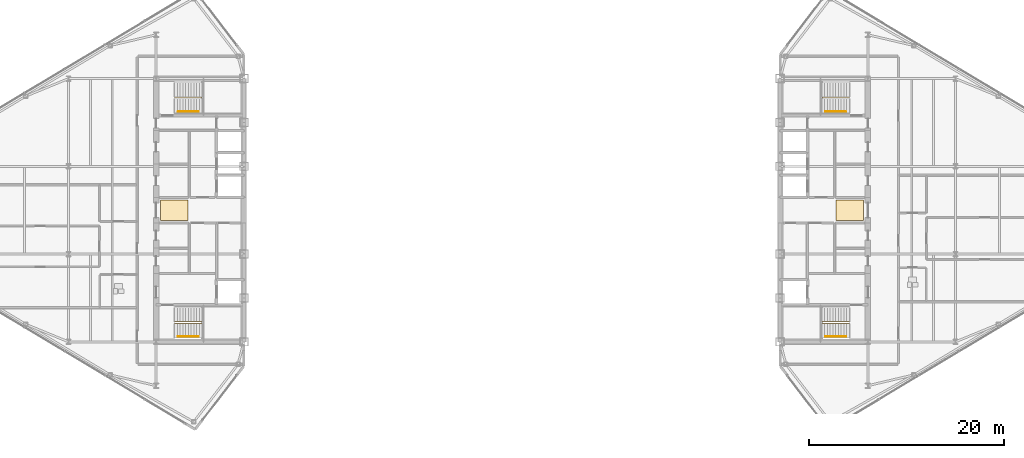
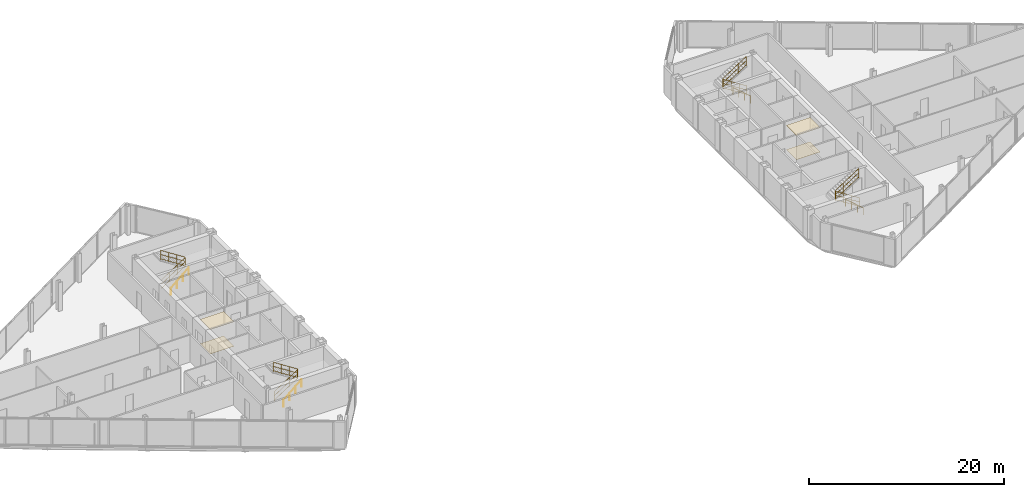
# One storey, part 24 of 25: 8 railings, 4 coverings.
"""IFC4 building model written with IfcOpenShell, lengths in metres."""

from ifc_helpers import new_model, si_unit, direction, frame, origin, origin_2d, place, context, subcontext, project, spatial, polyline, circle, outline, extrude, material, layer, layer_set, type_object, element, save


model = new_model("IFC4")

# Units and contexts
model_context = context("Model", 3, precision=1e-05, world=origin(), true_north=direction((0.0, 1.0)))
body_context = subcontext(model_context, "Body", "Model", "MODEL_VIEW")
ifc_project = project(units=[si_unit("LENGTHUNIT", "METRE"), si_unit("AREAUNIT", "SQUARE_METRE"), si_unit("VOLUMEUNIT", "CUBIC_METRE"), si_unit("PLANEANGLEUNIT", "RADIAN"), si_unit("MASSUNIT", "GRAM", prefix="KILO")], contexts=[model_context])

# Site, building, storey
site_placement = place(None, origin())
site = spatial("IfcSite", under=ifc_project, at=site_placement, CompositionType="ELEMENT")
building_placement = place(site_placement, origin())
building = spatial("IfcBuilding", under=site, at=building_placement, Name="Seokmaru Belvedere", CompositionType="ELEMENT")
storey_placement = place(building_placement, frame((0.0, 0.0, 206.699951171875)))
storey = spatial("IfcBuildingStorey", under=building, at=storey_placement, Name="L55", CompositionType="ELEMENT", Elevation=206.699951171875)

# Coverings
ifc_material_1 = material(Name="Engineered White Oak Timber", Category="wood")
ifc_layer_1 = layer(ifc_material_1, 0.02197265625)
ifc_layer_set_1 = layer_set([ifc_layer_1], Name="Engineered White Oak Timber")
covering_type_1 = type_object("IfcCoveringType", Name="Engineered Oak Residence Floor Finish 22", PredefinedType="FLOORING", material=ifc_layer_set_1)
covering_1_placement = place(storey_placement, origin())
element("IfcCovering", 1, at=covering_1_placement, inside=storey, type_object=covering_type_1, Name="L55 W Foyer Floor Finish", PredefinedType="FLOORING", context=body_context, shape_type="SweptSolid", body=[
    extrude(outline(polyline([(-36.050048828125, -1.050048828125), (-33.25, -1.050048828125), (-33.25, 1.050048828125), (-36.050048828125, 1.050048828125), (-36.050048828125, -1.050048828125)])), origin(), (0.0, 0.0, 1.0), 0.02197265625),
])
covering_2_placement = place(storey_placement, origin())
element("IfcCovering", 2, at=covering_2_placement, inside=storey, type_object=covering_type_1, Name="L55 E Foyer Floor Finish", PredefinedType="FLOORING", context=body_context, shape_type="SweptSolid", body=[
    extrude(outline(polyline([(33.25, -1.050048828125), (36.050048828125, -1.050048828125), (36.050048828125, 1.050048828125), (33.25, 1.050048828125), (33.25, -1.050048828125)])), origin(), (0.0, 0.0, 1.0), 0.02197265625),
])
ifc_material_2 = material(Name="Fire-Rated Gypsum Shaftwall")
ifc_layer_2 = layer(ifc_material_2, 0.02490234375)
ifc_layer_set_2 = layer_set([ifc_layer_2], Name="Fire-Rated Gypsum Shaftwall")
covering_type_2 = type_object("IfcCoveringType", Name="Perforated Acoustic Gypsum Suspended Ceiling 25", PredefinedType="CEILING", material=ifc_layer_set_2)
covering_3_placement = place(storey_placement, frame((0.0, 0.0, 3.030029296875)))
element("IfcCovering", 3, at=covering_3_placement, inside=storey, type_object=covering_type_2, Name="L55 W Lift Foyer Acoustic Ceiling", PredefinedType="CEILING", context=body_context, shape_type="SweptSolid", body=[
    extrude(outline(polyline([(-36.050048828125, -1.050048828125), (-33.25, -1.050048828125), (-33.25, 1.050048828125), (-36.050048828125, 1.050048828125), (-36.050048828125, -1.050048828125)])), origin(), (0.0, 0.0, 1.0), 0.02490234375),
])
covering_4_placement = place(storey_placement, frame((0.0, 0.0, 3.030029296875)))
element("IfcCovering", 4, at=covering_4_placement, inside=storey, type_object=covering_type_2, Name="L55 E Lift Foyer Acoustic Ceiling", PredefinedType="CEILING", context=body_context, shape_type="SweptSolid", body=[
    extrude(outline(polyline([(33.25, -1.050048828125), (36.050048828125, -1.050048828125), (36.050048828125, 1.050048828125), (33.25, 1.050048828125), (33.25, -1.050048828125)])), origin(), (0.0, 0.0, 1.0), 0.02490234375),
])

# Railings
ifc_material_3 = material(Name="Stainless Steel 316", Category="steel")
railing_type_1 = type_object("IfcRailingType", Name="Stainless Steel Wall and Flight Handrail 900", PredefinedType="HANDRAIL", material=ifc_material_3)
for number, where, name in (
    (5, (-34.25, -12.949951171875, 0.0), "L55 Stair ST-W1 Wall Handrail"),
    (6, (-34.25, 10.110107421875, 0.0), "L55 Stair ST-W2 Wall Handrail"),
):
    element("IfcRailing", number, at=place(storey_placement, frame(where)), inside=storey, type_object=railing_type_1, Name=name, PredefinedType="HANDRAIL", context=body_context, shape_type="SweptSolid", body=[
        extrude(circle(Radius=0.02392578125, at=origin_2d()), frame((0.0, 0.0, 0.8759765625), z_axis=(0.759262832861, 0.0, 0.650784104474), x_axis=(0.0, 1.0, 0.0)), (0.0, 0.0, 1.0), 2.765869140625),
        extrude(circle(Radius=0.02099609375, at=origin_2d()), origin(), (0.0, 0.0, 1.0), 0.851806640625),
        extrude(circle(Radius=0.02099609375, at=origin_2d()), frame((0.699951171875, 0.0, 0.60009765625)), (0.0, 0.0, 1.0), 0.851806640625),
        extrude(circle(Radius=0.02099609375, at=origin_2d()), frame((1.400146484375, 0.0, 1.199951171875)), (0.0, 0.0, 1.0), 0.851806640625),
        extrude(circle(Radius=0.02099609375, at=origin_2d()), frame((2.10009765625, 0.0, 1.800048828125)), (0.0, 0.0, 1.0), 0.851806640625),
    ])
for number, where, name in (
    (7, (34.25, -12.949951171875, 0.0), "L55 Stair ST-E1 Wall Handrail"),
    (8, (34.25, 10.110107421875, 0.0), "L55 Stair ST-E2 Wall Handrail"),
):
    element("IfcRailing", number, at=place(storey_placement, frame(where)), inside=storey, type_object=railing_type_1, Name=name, PredefinedType="HANDRAIL", context=body_context, shape_type="SweptSolid", body=[
        extrude(circle(Radius=0.02392578125, at=origin_2d()), frame((0.0, 0.0, 0.8759765625), z_axis=(-0.759262832861, 0.0, 0.650784104474), x_axis=(0.0, -1.0, 0.0)), (0.0, 0.0, 1.0), 2.765869140625),
        extrude(circle(Radius=0.02099609375, at=origin_2d()), origin(), (0.0, 0.0, 1.0), 0.851806640625),
        extrude(circle(Radius=0.02099609375, at=origin_2d()), frame((-0.699951171875, 0.0, 0.60009765625)), (0.0, 0.0, 1.0), 0.851806640625),
        extrude(circle(Radius=0.02099609375, at=origin_2d()), frame((-1.400146484375, 0.0, 1.199951171875)), (0.0, 0.0, 1.0), 0.851806640625),
        extrude(circle(Radius=0.02099609375, at=origin_2d()), frame((-2.10009765625, 0.0, 1.800048828125)), (0.0, 0.0, 1.0), 0.851806640625),
    ])
railing_type_2 = type_object("IfcRailingType", Name="Stair Well and Atrium Steel Guardrail 1200", PredefinedType="GUARDRAIL", material=ifc_material_3)
railing_1_placement = place(storey_placement, frame((-34.60009765625, -11.60009765625, 0.0)))
element("IfcRailing", 9, at=railing_1_placement, inside=storey, type_object=railing_type_2, Name="L55 Stair ST-W1 Inner Well Guardrail", PredefinedType="GUARDRAIL", context=body_context, shape_type="SweptSolid", body=[
    extrude(circle(Radius=0.02392578125, at=origin_2d()), frame((0.0, 0.0, 1.17578125), z_axis=(0.841176092368, 0.0, 0.540761298198), x_axis=(0.0, 1.0, 0.0)), (0.0, 0.0, 1.0), 3.32861328125),
    extrude(circle(Radius=0.02392578125, at=origin_2d()), frame((0.0, 0.0, 0.1201171875), z_axis=(0.841176092368, 0.0, 0.540761298198), x_axis=(0.0, 1.0, 0.0)), (0.0, 0.0, 1.0), 3.32861328125),
    extrude(circle(Radius=0.02392578125, at=origin_2d()), frame((0.0, 0.0, 0.659912109375), z_axis=(0.841176092368, 0.0, 0.540761298198), x_axis=(0.0, 1.0, 0.0)), (0.0, 0.0, 1.0), 3.32861328125),
    extrude(circle(Radius=0.02392578125, at=origin_2d()), frame((2.800048828125, 0.0, 2.97607421875), z_axis=(0.0, 1.0, 0.0), x_axis=(-1.0, 0.0, 0.0)), (0.0, 0.0, 1.0), 0.14013671875),
    extrude(circle(Radius=0.02392578125, at=origin_2d()), frame((2.800048828125, 0.0, 1.920166015625), z_axis=(0.0, 1.0, 0.0), x_axis=(-1.0, 0.0, 0.0)), (0.0, 0.0, 1.0), 0.14013671875),
    extrude(circle(Radius=0.02392578125, at=origin_2d()), frame((2.800048828125, 0.0, 2.4599609375), z_axis=(0.0, 1.0, 0.0), x_axis=(-1.0, 0.0, 0.0)), (0.0, 0.0, 1.0), 0.14013671875),
    extrude(circle(Radius=0.02392578125, at=origin_2d()), frame((2.800048828125, 0.14013671875, 2.97607421875), z_axis=(-0.841176092368, 0.0, 0.540761298198), x_axis=(0.0, -1.0, 0.0)), (0.0, 0.0, 1.0), 3.32861328125),
    extrude(circle(Radius=0.02392578125, at=origin_2d()), frame((2.800048828125, 0.14013671875, 1.920166015625), z_axis=(-0.841176092368, 0.0, 0.540761298198), x_axis=(0.0, -1.0, 0.0)), (0.0, 0.0, 1.0), 3.32861328125),
    extrude(circle(Radius=0.02392578125, at=origin_2d()), frame((2.800048828125, 0.14013671875, 2.4599609375), z_axis=(-0.841176092368, 0.0, 0.540761298198), x_axis=(0.0, -1.0, 0.0)), (0.0, 0.0, 1.0), 3.32861328125),
    extrude(circle(Radius=0.02099609375, at=origin_2d()), origin(), (0.0, 0.0, 1.0), 1.15185546875),
    extrude(circle(Radius=0.02099609375, at=origin_2d()), frame((0.933349609375, 0.0, 0.60009765625)), (0.0, 0.0, 1.0), 1.15185546875),
    extrude(circle(Radius=0.02099609375, at=origin_2d()), frame((1.86669921875, 0.0, 1.199951171875)), (0.0, 0.0, 1.0), 1.15185546875),
    extrude(circle(Radius=0.02099609375, at=origin_2d()), frame((2.800048828125, 0.0, 1.800048828125)), (0.0, 0.0, 1.0), 1.15185546875),
    extrude(circle(Radius=0.02099609375, at=origin_2d()), frame((2.800048828125, 0.14013671875, 1.800048828125)), (0.0, 0.0, 1.0), 1.15185546875),
    extrude(circle(Radius=0.02099609375, at=origin_2d()), frame((1.86669921875, 0.14013671875, 2.400146484375)), (0.0, 0.0, 1.0), 1.15185546875),
    extrude(circle(Radius=0.02099609375, at=origin_2d()), frame((0.933349609375, 0.14013671875, 3.0)), (0.0, 0.0, 1.0), 1.15185546875),
    extrude(circle(Radius=0.02099609375, at=origin_2d()), frame((0.0, 0.14013671875, 3.60009765625)), (0.0, 0.0, 1.0), 1.15185546875),
])
railing_2_placement = place(storey_placement, frame((-34.60009765625, 11.4599609375, 0.0)))
element("IfcRailing", 10, at=railing_2_placement, inside=storey, type_object=railing_type_2, Name="L55 Stair ST-W2 Inner Well Guardrail", PredefinedType="GUARDRAIL", context=body_context, shape_type="SweptSolid", body=[
    extrude(circle(Radius=0.02392578125, at=origin_2d()), frame((0.0, 0.0, 1.17578125), z_axis=(0.841176092368, 0.0, 0.540761298198), x_axis=(0.0, 1.0, 0.0)), (0.0, 0.0, 1.0), 3.32861328125),
    extrude(circle(Radius=0.02392578125, at=origin_2d()), frame((0.0, 0.0, 0.1201171875), z_axis=(0.841176092368, 0.0, 0.540761298198), x_axis=(0.0, 1.0, 0.0)), (0.0, 0.0, 1.0), 3.32861328125),
    extrude(circle(Radius=0.02392578125, at=origin_2d()), frame((0.0, 0.0, 0.659912109375), z_axis=(0.841176092368, 0.0, 0.540761298198), x_axis=(0.0, 1.0, 0.0)), (0.0, 0.0, 1.0), 3.32861328125),
    extrude(circle(Radius=0.02392578125, at=origin_2d()), frame((2.800048828125, 0.0, 2.97607421875), z_axis=(0.0, 1.0, 0.0), x_axis=(-1.0, 0.0, 0.0)), (0.0, 0.0, 1.0), 0.14013671875),
    extrude(circle(Radius=0.02392578125, at=origin_2d()), frame((2.800048828125, 0.0, 1.920166015625), z_axis=(0.0, 1.0, 0.0), x_axis=(-1.0, 0.0, 0.0)), (0.0, 0.0, 1.0), 0.14013671875),
    extrude(circle(Radius=0.02392578125, at=origin_2d()), frame((2.800048828125, 0.0, 2.4599609375), z_axis=(0.0, 1.0, 0.0), x_axis=(-1.0, 0.0, 0.0)), (0.0, 0.0, 1.0), 0.14013671875),
    extrude(circle(Radius=0.02392578125, at=origin_2d()), frame((2.800048828125, 0.14013671875, 2.97607421875), z_axis=(-0.841176092368, 0.0, 0.540761298198), x_axis=(0.0, -1.0, 0.0)), (0.0, 0.0, 1.0), 3.32861328125),
    extrude(circle(Radius=0.02392578125, at=origin_2d()), frame((2.800048828125, 0.14013671875, 1.920166015625), z_axis=(-0.841176092368, 0.0, 0.540761298198), x_axis=(0.0, -1.0, 0.0)), (0.0, 0.0, 1.0), 3.32861328125),
    extrude(circle(Radius=0.02392578125, at=origin_2d()), frame((2.800048828125, 0.14013671875, 2.4599609375), z_axis=(-0.841176092368, 0.0, 0.540761298198), x_axis=(0.0, -1.0, 0.0)), (0.0, 0.0, 1.0), 3.32861328125),
    extrude(circle(Radius=0.02099609375, at=origin_2d()), origin(), (0.0, 0.0, 1.0), 1.15185546875),
    extrude(circle(Radius=0.02099609375, at=origin_2d()), frame((0.933349609375, 0.0, 0.60009765625)), (0.0, 0.0, 1.0), 1.15185546875),
    extrude(circle(Radius=0.02099609375, at=origin_2d()), frame((1.86669921875, 0.0, 1.199951171875)), (0.0, 0.0, 1.0), 1.15185546875),
    extrude(circle(Radius=0.02099609375, at=origin_2d()), frame((2.800048828125, 0.0, 1.800048828125)), (0.0, 0.0, 1.0), 1.15185546875),
    extrude(circle(Radius=0.02099609375, at=origin_2d()), frame((2.800048828125, 0.14013671875, 1.800048828125)), (0.0, 0.0, 1.0), 1.15185546875),
    extrude(circle(Radius=0.02099609375, at=origin_2d()), frame((1.86669921875, 0.14013671875, 2.400146484375)), (0.0, 0.0, 1.0), 1.15185546875),
    extrude(circle(Radius=0.02099609375, at=origin_2d()), frame((0.933349609375, 0.14013671875, 3.0)), (0.0, 0.0, 1.0), 1.15185546875),
    extrude(circle(Radius=0.02099609375, at=origin_2d()), frame((0.0, 0.14013671875, 3.60009765625)), (0.0, 0.0, 1.0), 1.15185546875),
])
railing_3_placement = place(storey_placement, frame((34.60009765625, -11.60009765625, 0.0)))
element("IfcRailing", 11, at=railing_3_placement, inside=storey, type_object=railing_type_2, Name="L55 Stair ST-E1 Inner Well Guardrail", PredefinedType="GUARDRAIL", context=body_context, shape_type="SweptSolid", body=[
    extrude(circle(Radius=0.02392578125, at=origin_2d()), frame((0.0, 0.0, 1.17578125), z_axis=(-0.841176092368, 0.0, 0.540761298198), x_axis=(0.0, -1.0, 0.0)), (0.0, 0.0, 1.0), 3.32861328125),
    extrude(circle(Radius=0.02392578125, at=origin_2d()), frame((0.0, 0.0, 0.1201171875), z_axis=(-0.841176092368, 0.0, 0.540761298198), x_axis=(0.0, -1.0, 0.0)), (0.0, 0.0, 1.0), 3.32861328125),
    extrude(circle(Radius=0.02392578125, at=origin_2d()), frame((0.0, 0.0, 0.659912109375), z_axis=(-0.841176092368, 0.0, 0.540761298198), x_axis=(0.0, -1.0, 0.0)), (0.0, 0.0, 1.0), 3.32861328125),
    extrude(circle(Radius=0.02392578125, at=origin_2d()), frame((-2.800048828125, 0.0, 2.97607421875), z_axis=(0.0, 1.0, 0.0), x_axis=(-1.0, 0.0, 0.0)), (0.0, 0.0, 1.0), 0.14013671875),
    extrude(circle(Radius=0.02392578125, at=origin_2d()), frame((-2.800048828125, 0.0, 1.920166015625), z_axis=(0.0, 1.0, 0.0), x_axis=(-1.0, 0.0, 0.0)), (0.0, 0.0, 1.0), 0.14013671875),
    extrude(circle(Radius=0.02392578125, at=origin_2d()), frame((-2.800048828125, 0.0, 2.4599609375), z_axis=(0.0, 1.0, 0.0), x_axis=(-1.0, 0.0, 0.0)), (0.0, 0.0, 1.0), 0.14013671875),
    extrude(circle(Radius=0.02392578125, at=origin_2d()), frame((-2.800048828125, 0.14013671875, 2.97607421875), z_axis=(0.841176092368, 0.0, 0.540761298198), x_axis=(0.0, 1.0, 0.0)), (0.0, 0.0, 1.0), 3.32861328125),
    extrude(circle(Radius=0.02392578125, at=origin_2d()), frame((-2.800048828125, 0.14013671875, 1.920166015625), z_axis=(0.841176092368, 0.0, 0.540761298198), x_axis=(0.0, 1.0, 0.0)), (0.0, 0.0, 1.0), 3.32861328125),
    extrude(circle(Radius=0.02392578125, at=origin_2d()), frame((-2.800048828125, 0.14013671875, 2.4599609375), z_axis=(0.841176092368, 0.0, 0.540761298198), x_axis=(0.0, 1.0, 0.0)), (0.0, 0.0, 1.0), 3.32861328125),
    extrude(circle(Radius=0.02099609375, at=origin_2d()), origin(), (0.0, 0.0, 1.0), 1.15185546875),
    extrude(circle(Radius=0.02099609375, at=origin_2d()), frame((-0.933349609375, 0.0, 0.60009765625)), (0.0, 0.0, 1.0), 1.15185546875),
    extrude(circle(Radius=0.02099609375, at=origin_2d()), frame((-1.86669921875, 0.0, 1.199951171875)), (0.0, 0.0, 1.0), 1.15185546875),
    extrude(circle(Radius=0.02099609375, at=origin_2d()), frame((-2.800048828125, 0.0, 1.800048828125)), (0.0, 0.0, 1.0), 1.15185546875),
    extrude(circle(Radius=0.02099609375, at=origin_2d()), frame((-2.800048828125, 0.14013671875, 1.800048828125)), (0.0, 0.0, 1.0), 1.15185546875),
    extrude(circle(Radius=0.02099609375, at=origin_2d()), frame((-1.86669921875, 0.14013671875, 2.400146484375)), (0.0, 0.0, 1.0), 1.15185546875),
    extrude(circle(Radius=0.02099609375, at=origin_2d()), frame((-0.933349609375, 0.14013671875, 3.0)), (0.0, 0.0, 1.0), 1.15185546875),
    extrude(circle(Radius=0.02099609375, at=origin_2d()), frame((0.0, 0.14013671875, 3.60009765625)), (0.0, 0.0, 1.0), 1.15185546875),
])
railing_4_placement = place(storey_placement, frame((34.60009765625, 11.4599609375, 0.0)))
element("IfcRailing", 12, at=railing_4_placement, inside=storey, type_object=railing_type_2, Name="L55 Stair ST-E2 Inner Well Guardrail", PredefinedType="GUARDRAIL", context=body_context, shape_type="SweptSolid", body=[
    extrude(circle(Radius=0.02392578125, at=origin_2d()), frame((0.0, 0.0, 1.17578125), z_axis=(-0.841176092368, 0.0, 0.540761298198), x_axis=(0.0, -1.0, 0.0)), (0.0, 0.0, 1.0), 3.32861328125),
    extrude(circle(Radius=0.02392578125, at=origin_2d()), frame((0.0, 0.0, 0.1201171875), z_axis=(-0.841176092368, 0.0, 0.540761298198), x_axis=(0.0, -1.0, 0.0)), (0.0, 0.0, 1.0), 3.32861328125),
    extrude(circle(Radius=0.02392578125, at=origin_2d()), frame((0.0, 0.0, 0.659912109375), z_axis=(-0.841176092368, 0.0, 0.540761298198), x_axis=(0.0, -1.0, 0.0)), (0.0, 0.0, 1.0), 3.32861328125),
    extrude(circle(Radius=0.02392578125, at=origin_2d()), frame((-2.800048828125, 0.0, 2.97607421875), z_axis=(0.0, 1.0, 0.0), x_axis=(-1.0, 0.0, 0.0)), (0.0, 0.0, 1.0), 0.14013671875),
    extrude(circle(Radius=0.02392578125, at=origin_2d()), frame((-2.800048828125, 0.0, 1.920166015625), z_axis=(0.0, 1.0, 0.0), x_axis=(-1.0, 0.0, 0.0)), (0.0, 0.0, 1.0), 0.14013671875),
    extrude(circle(Radius=0.02392578125, at=origin_2d()), frame((-2.800048828125, 0.0, 2.4599609375), z_axis=(0.0, 1.0, 0.0), x_axis=(-1.0, 0.0, 0.0)), (0.0, 0.0, 1.0), 0.14013671875),
    extrude(circle(Radius=0.02392578125, at=origin_2d()), frame((-2.800048828125, 0.14013671875, 2.97607421875), z_axis=(0.841176092368, 0.0, 0.540761298198), x_axis=(0.0, 1.0, 0.0)), (0.0, 0.0, 1.0), 3.32861328125),
    extrude(circle(Radius=0.02392578125, at=origin_2d()), frame((-2.800048828125, 0.14013671875, 1.920166015625), z_axis=(0.841176092368, 0.0, 0.540761298198), x_axis=(0.0, 1.0, 0.0)), (0.0, 0.0, 1.0), 3.32861328125),
    extrude(circle(Radius=0.02392578125, at=origin_2d()), frame((-2.800048828125, 0.14013671875, 2.4599609375), z_axis=(0.841176092368, 0.0, 0.540761298198), x_axis=(0.0, 1.0, 0.0)), (0.0, 0.0, 1.0), 3.32861328125),
    extrude(circle(Radius=0.02099609375, at=origin_2d()), origin(), (0.0, 0.0, 1.0), 1.15185546875),
    extrude(circle(Radius=0.02099609375, at=origin_2d()), frame((-0.933349609375, 0.0, 0.60009765625)), (0.0, 0.0, 1.0), 1.15185546875),
    extrude(circle(Radius=0.02099609375, at=origin_2d()), frame((-1.86669921875, 0.0, 1.199951171875)), (0.0, 0.0, 1.0), 1.15185546875),
    extrude(circle(Radius=0.02099609375, at=origin_2d()), frame((-2.800048828125, 0.0, 1.800048828125)), (0.0, 0.0, 1.0), 1.15185546875),
    extrude(circle(Radius=0.02099609375, at=origin_2d()), frame((-2.800048828125, 0.14013671875, 1.800048828125)), (0.0, 0.0, 1.0), 1.15185546875),
    extrude(circle(Radius=0.02099609375, at=origin_2d()), frame((-1.86669921875, 0.14013671875, 2.400146484375)), (0.0, 0.0, 1.0), 1.15185546875),
    extrude(circle(Radius=0.02099609375, at=origin_2d()), frame((-0.933349609375, 0.14013671875, 3.0)), (0.0, 0.0, 1.0), 1.15185546875),
    extrude(circle(Radius=0.02099609375, at=origin_2d()), frame((0.0, 0.14013671875, 3.60009765625)), (0.0, 0.0, 1.0), 1.15185546875),
])

save(model, "model.ifc")
